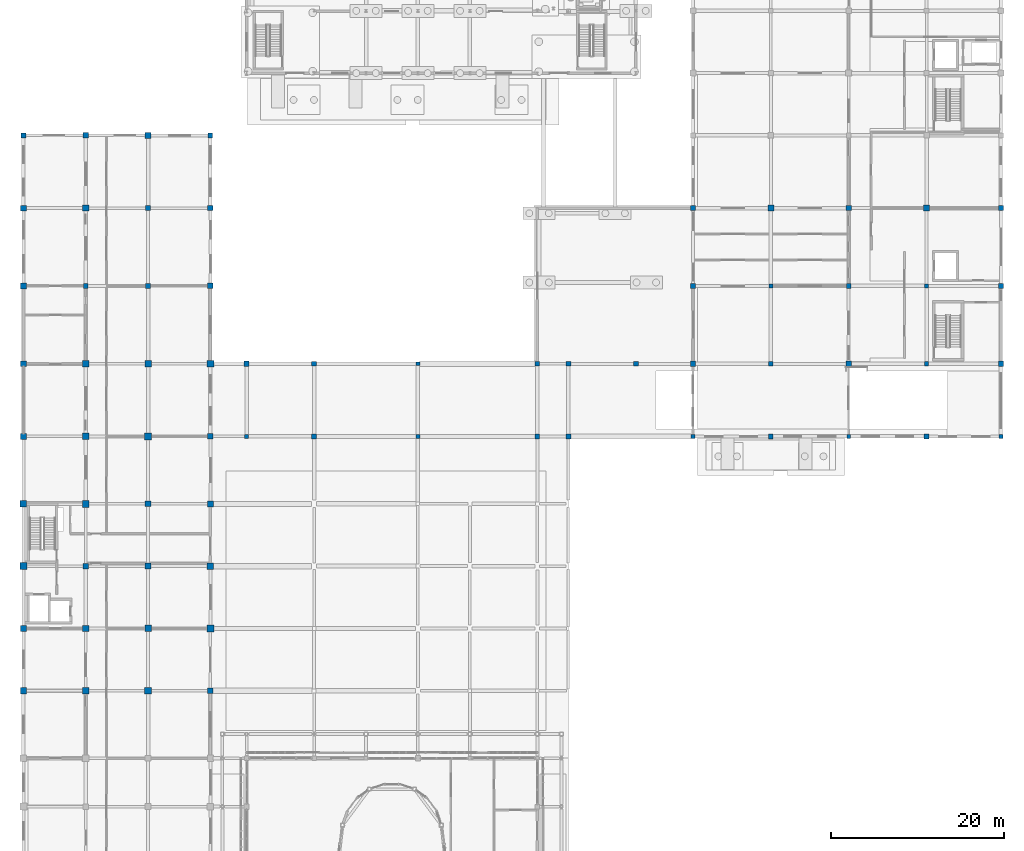
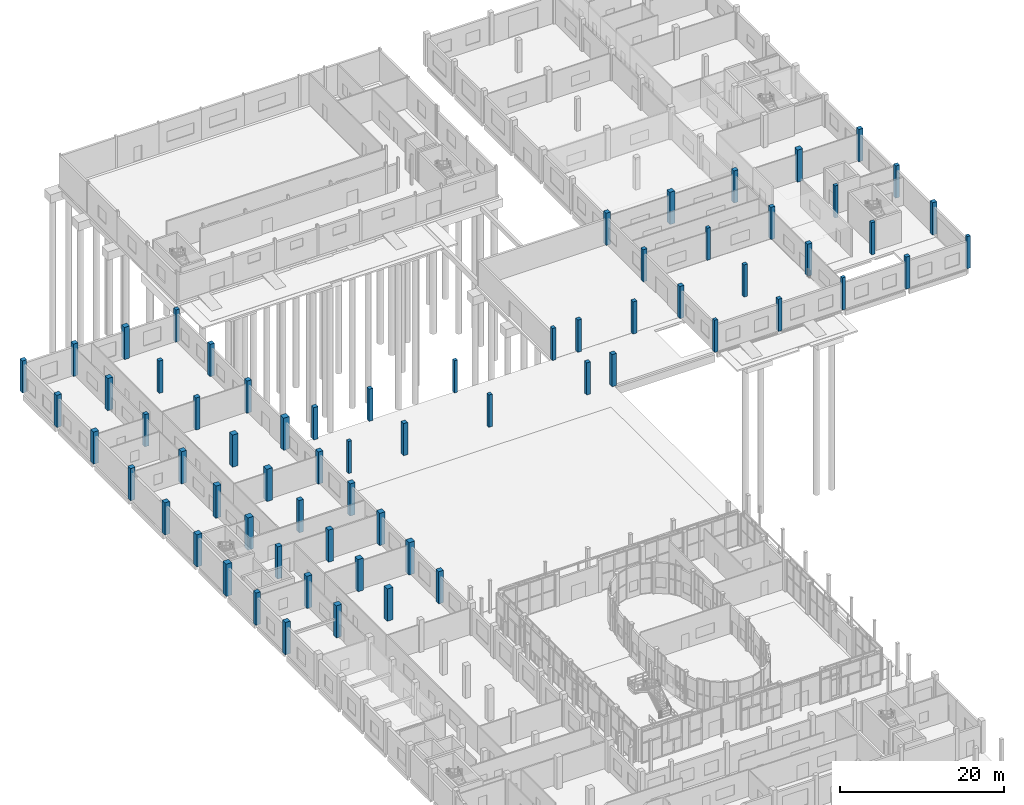
# One storey, part 15 of 91: 67 columns.
"""IFC4 building model written with IfcOpenShell, lengths in metres."""

from ifc_helpers import new_model, si_unit, direction, frame, origin, origin_2d, place, context, subcontext, project, spatial, rectangle, extrude, material, material_profile, profile_set, type_object, element, save


model = new_model("IFC4")

# Units and contexts
model_context = context("Model", 3, precision=1e-05, world=origin(), true_north=direction((0.0, 1.0)))
body_context = subcontext(model_context, "Body", "Model", "MODEL_VIEW")
ifc_project = project(units=[si_unit("LENGTHUNIT", "METRE"), si_unit("AREAUNIT", "SQUARE_METRE"), si_unit("VOLUMEUNIT", "CUBIC_METRE"), si_unit("PLANEANGLEUNIT", "RADIAN"), si_unit("MASSUNIT", "GRAM", prefix="KILO")], contexts=[model_context])

# Site, building, storey
site_placement = place(None, origin())
site = spatial("IfcSite", under=ifc_project, at=site_placement, CompositionType="ELEMENT")
building_placement = place(site_placement, origin())
building = spatial("IfcBuilding", under=site, at=building_placement, Name="Vinh Khe Railworks Police Headquarters", CompositionType="ELEMENT")
storey_placement = place(building_placement, origin())
storey = spatial("IfcBuildingStorey", under=building, at=storey_placement, Name="L00", CompositionType="ELEMENT", Elevation=0.0)

# Columns
ifc_material = material(Name="Concrete C40/50 (B40)", Category="concrete")
ifc_material_profile_1 = material_profile(ifc_material, rectangle(XDim=0.449951171875, YDim=0.449951171875, at=origin_2d()), Name="RC 450x450")
ifc_profile_set_1 = profile_set([ifc_material_profile_1], Name="Concrete C40/50 (B40)")
column_type_1 = type_object("IfcColumnType", Name="RC Column RC 450x450", PredefinedType="COLUMN", material=ifc_profile_set_1)
for number, where, z_axis, x_axis, name in (
    (1, (26.39990234375, 96.0, 0.0), (0.0, 0.0, 1.0), (1.0, 0.0, 0.0), "Column COL-L00-CC-08-0763"),
    (2, (46.199951171875, 104.39990234375, 0.0), (0.0, 0.0, 1.0), (1.0, 0.0, 0.0), "Column COL-L00-CC-08-0931"),
    (3, (78.0, 96.0, 0.0), (0.0, 0.0, 1.0), (1.0, 0.0, 0.0), "Column COL-L00-CC-08-1152"),
    (4, (87.0, 113.39990234375, 0.0), (0.0, 0.0, 1.0), (1.0, 0.0, 0.0), "Column COL-L00-CC-08-1221"),
    (5, (96.0, 96.0, 0.0), (0.0, 0.0, 1.0), (1.0, 0.0, 0.0), "Column COL-L00-CC-08-1274"),
    (6, (105.0, 113.39990234375, 0.0), (0.0, 0.0, 1.0), (1.0, 0.0, 0.0), "Column COL-L00-CC-08-1343"),
    (7, (113.60009765625, 96.0, 0.0), (0.0, 0.0, 1.0), (1.0, 0.0, 0.0), "Column COL-L00-CC-08-1396"),
):
    element("IfcColumn", number, at=place(storey_placement, frame(where, z_axis=z_axis, x_axis=x_axis)), inside=storey, type_object=column_type_1, Name=name, PredefinedType="COLUMN", context=body_context, shape_type="SweptSolid", body=[
        extrude(rectangle(XDim=0.449951171875, YDim=0.449951171875, at=origin_2d()), origin(), (0.0, 0.0, 1.0), 4.800048828125),
    ])
ifc_material_profile_2 = material_profile(ifc_material, rectangle(XDim=0.5, YDim=0.5, at=origin_2d()), Name="RC 500x500")
ifc_profile_set_2 = profile_set([ifc_material_profile_2], Name="Concrete C40/50 (B40)")
column_type_2 = type_object("IfcColumnType", Name="RC Column RC 500x500", PredefinedType="COLUMN", material=ifc_profile_set_2)
for number, where, z_axis, x_axis, name in (
    (8, (46.199951171875, 96.0, 0.0), (0.0, 0.0, 1.0), (1.0, 0.0, 0.0), "Column COL-L00-CC-07-0927"),
    (9, (60.0, 104.39990234375, 0.0), (0.0, 0.0, 1.0), (1.0, 0.0, 0.0), "Column COL-L00-CC-07-1056"),
    (10, (87.0, 104.39990234375, 0.0), (0.0, 0.0, 1.0), (1.0, 0.0, 0.0), "Column COL-L00-CC-07-1217"),
    (11, (105.0, 104.39990234375, 0.0), (0.0, 0.0, 1.0), (1.0, 0.0, 0.0), "Column COL-L00-CC-07-1339"),
):
    element("IfcColumn", number, at=place(storey_placement, frame(where, z_axis=z_axis, x_axis=x_axis)), inside=storey, type_object=column_type_2, Name=name, PredefinedType="COLUMN", context=body_context, shape_type="SweptSolid", body=[
        extrude(rectangle(XDim=0.5, YDim=0.5, at=origin_2d()), origin(), (0.0, 0.0, 1.0), 4.800048828125),
    ])
ifc_material_profile_3 = material_profile(ifc_material, rectangle(XDim=0.550048828125, YDim=0.550048828125, at=origin_2d()), Name="RC 550x550")
ifc_profile_set_3 = profile_set([ifc_material_profile_3], Name="Concrete C40/50 (B40)")
column_type_3 = type_object("IfcColumnType", Name="RC Column RC 550x550", PredefinedType="COLUMN", material=ifc_profile_set_3)
for number, where, z_axis, x_axis, name in (
    (12, (7.800048828125, 113.39990234375, 0.0), (0.0, 0.0, 1.0), (1.0, 0.0, 0.0), "Column COL-L00-CC-06-0315"),
    (13, (15.0, 122.39990234375, 0.0), (0.0, 0.0, 1.0), (1.0, 0.0, 0.0), "Column COL-L00-CC-06-0489"),
    (14, (22.199951171875, 130.800048828125, 0.0), (0.0, 0.0, 1.0), (1.0, 0.0, 0.0), "Column COL-L00-CC-06-0649"),
    (15, (34.199951171875, 104.39990234375, 0.0), (0.0, 0.0, 1.0), (1.0, 0.0, 0.0), "Column COL-L00-CC-06-0813"),
    (16, (60.0, 96.0, 0.0), (0.0, 0.0, 1.0), (1.0, 0.0, 0.0), "Column COL-L00-CC-06-1052"),
    (17, (63.60009765625, 104.39990234375, 0.0), (0.0, 0.0, 1.0), (1.0, 0.0, 0.0), "Column COL-L00-CC-06-1129"),
    (18, (71.39990234375, 104.39990234375, 0.0), (0.0, 0.0, 1.0), (1.0, 0.0, 0.0), "Column COL-L00-CC-06-1138"),
    (19, (78.0, 113.39990234375, 0.0), (0.0, 0.0, 1.0), (1.0, 0.0, 0.0), "Column COL-L00-CC-06-1160"),
    (20, (87.0, 96.0, 0.0), (0.0, 0.0, 1.0), (1.0, 0.0, 0.0), "Column COL-L00-CC-06-1213"),
    (21, (96.0, 113.39990234375, 0.0), (0.0, 0.0, 1.0), (1.0, 0.0, 0.0), "Column COL-L00-CC-06-1282"),
    (22, (105.0, 96.0, 0.0), (0.0, 0.0, 1.0), (1.0, 0.0, 0.0), "Column COL-L00-CC-06-1335"),
    (23, (113.60009765625, 113.39990234375, 0.0), (0.0, 0.0, 1.0), (1.0, 0.0, 0.0), "Column COL-L00-CC-06-1404"),
):
    element("IfcColumn", number, at=place(storey_placement, frame(where, z_axis=z_axis, x_axis=x_axis)), inside=storey, type_object=column_type_3, Name=name, PredefinedType="COLUMN", context=body_context, shape_type="SweptSolid", body=[
        extrude(rectangle(XDim=0.550048828125, YDim=0.550048828125, at=origin_2d()), origin(), (0.0, 0.0, 1.0), 4.800048828125),
    ])
ifc_material_profile_4 = material_profile(ifc_material, rectangle(XDim=0.60009765625, YDim=0.60009765625, at=origin_2d()), Name="RC 600x600")
ifc_profile_set_4 = profile_set([ifc_material_profile_4], Name="Concrete C40/50 (B40)")
column_type_4 = type_object("IfcColumnType", Name="RC Column RC 600x600", PredefinedType="COLUMN", material=ifc_profile_set_4)
for number, where, z_axis, x_axis, name in (
    (24, (0.60009765625, 130.800048828125, 0.0), (0.0, 0.0, 1.0), (1.0, 0.0, 0.0), "Column COL-L00-CC-05-0162"),
    (25, (15.0, 113.39990234375, 0.0), (0.0, 0.0, 1.0), (1.0, 0.0, 0.0), "Column COL-L00-CC-05-0482"),
    (26, (22.199951171875, 122.39990234375, 0.0), (0.0, 0.0, 1.0), (1.0, 0.0, 0.0), "Column COL-L00-CC-05-0642"),
    (27, (26.39990234375, 104.39990234375, 0.0), (0.0, 0.0, 1.0), (1.0, 0.0, 0.0), "Column COL-L00-CC-05-0767"),
    (28, (34.199951171875, 96.0, 0.0), (0.0, 0.0, 1.0), (1.0, 0.0, 0.0), "Column COL-L00-CC-05-0809"),
    (29, (63.60009765625, 96.0, 0.0), (0.0, 0.0, 1.0), (1.0, 0.0, 0.0), "Column COL-L00-CC-05-1125"),
    (30, (78.0, 104.39990234375, 0.0), (0.0, 0.0, 1.0), (1.0, 0.0, 0.0), "Column COL-L00-CC-05-1156"),
    (31, (78.0, 122.39990234375, 0.0), (0.0, 0.0, 1.0), (1.0, 0.0, 0.0), "Column COL-L00-CC-05-1164"),
    (32, (96.0, 104.39990234375, 0.0), (0.0, 0.0, 1.0), (1.0, 0.0, 0.0), "Column COL-L00-CC-05-1278"),
    (33, (96.0, 122.39990234375, 0.0), (0.0, 0.0, 1.0), (1.0, 0.0, 0.0), "Column COL-L00-CC-05-1286"),
    (34, (113.60009765625, 104.39990234375, 0.0), (0.0, 0.0, 1.0), (1.0, 0.0, 0.0), "Column COL-L00-CC-05-1400"),
    (35, (113.60009765625, 122.39990234375, 0.0), (0.0, 0.0, 1.0), (1.0, 0.0, 0.0), "Column COL-L00-CC-05-1408"),
):
    element("IfcColumn", number, at=place(storey_placement, frame(where, z_axis=z_axis, x_axis=x_axis)), inside=storey, type_object=column_type_4, Name=name, PredefinedType="COLUMN", context=body_context, shape_type="SweptSolid", body=[
        extrude(rectangle(XDim=0.60009765625, YDim=0.60009765625, at=origin_2d()), origin(), (0.0, 0.0, 1.0), 4.800048828125),
    ])
ifc_material_profile_5 = material_profile(ifc_material, rectangle(XDim=0.64990234375, YDim=0.64990234375, at=origin_2d()), Name="RC 650x650")
ifc_profile_set_5 = profile_set([ifc_material_profile_5], Name="Concrete C40/50 (B40)")
column_type_5 = type_object("IfcColumnType", Name="RC Column RC 650x650", PredefinedType="COLUMN", material=ifc_profile_set_5)
for number, where, z_axis, x_axis, name in (
    (36, (0.60009765625, 73.800048828125, 0.0), (0.0, 0.0, 1.0), (1.0, 0.0, 0.0), "Column COL-L00-CC-04-0098"),
    (37, (0.60009765625, 104.39990234375, 0.0), (0.0, 0.0, 1.0), (1.0, 0.0, 0.0), "Column COL-L00-CC-04-0138"),
    (38, (0.60009765625, 122.39990234375, 0.0), (0.0, 0.0, 1.0), (1.0, 0.0, 0.0), "Column COL-L00-CC-04-0155"),
    (39, (7.800048828125, 81.0, 0.0), (0.0, 0.0, 1.0), (1.0, 0.0, 0.0), "Column COL-L00-CC-04-0275"),
    (40, (7.800048828125, 130.800048828125, 0.0), (0.0, 0.0, 1.0), (1.0, 0.0, 0.0), "Column COL-L00-CC-04-0329"),
    (41, (15.0, 88.199951171875, 0.0), (0.0, 0.0, 1.0), (1.0, 0.0, 0.0), "Column COL-L00-CC-04-0452"),
    (42, (22.199951171875, 66.60009765625, 0.0), (0.0, 0.0, 1.0), (1.0, 0.0, 0.0), "Column COL-L00-CC-04-0581"),
    (43, (22.199951171875, 96.0, 0.0), (0.0, 0.0, 1.0), (1.0, 0.0, 0.0), "Column COL-L00-CC-04-0617"),
    (44, (22.199951171875, 113.39990234375, 0.0), (0.0, 0.0, 1.0), (1.0, 0.0, 0.0), "Column COL-L00-CC-04-0635"),
):
    element("IfcColumn", number, at=place(storey_placement, frame(where, z_axis=z_axis, x_axis=x_axis)), inside=storey, type_object=column_type_5, Name=name, PredefinedType="COLUMN", context=body_context, shape_type="SweptSolid", body=[
        extrude(rectangle(XDim=0.64990234375, YDim=0.64990234375, at=origin_2d()), origin(), (0.0, 0.0, 1.0), 4.800048828125),
    ])
ifc_material_profile_6 = material_profile(ifc_material, rectangle(XDim=0.699951171875, YDim=0.699951171875, at=origin_2d()), Name="RC 700x700")
ifc_profile_set_6 = profile_set([ifc_material_profile_6], Name="Concrete C40/50 (B40)")
column_type_6 = type_object("IfcColumnType", Name="RC Column RC 700x700", PredefinedType="COLUMN", material=ifc_profile_set_6)
for number, where, z_axis, x_axis, name in (
    (45, (0.60009765625, 66.60009765625, 0.0), (0.0, 0.0, 1.0), (1.0, 0.0, 0.0), "Column COL-L00-CC-03-0088"),
    (46, (0.60009765625, 96.0, 0.0), (0.0, 0.0, 1.0), (1.0, 0.0, 0.0), "Column COL-L00-CC-03-0128"),
    (47, (0.60009765625, 113.39990234375, 0.0), (0.0, 0.0, 1.0), (1.0, 0.0, 0.0), "Column COL-L00-CC-03-0148"),
    (48, (7.800048828125, 73.800048828125, 0.0), (0.0, 0.0, 1.0), (1.0, 0.0, 0.0), "Column COL-L00-CC-03-0265"),
    (49, (7.800048828125, 104.39990234375, 0.0), (0.0, 0.0, 1.0), (1.0, 0.0, 0.0), "Column COL-L00-CC-03-0305"),
    (50, (7.800048828125, 122.39990234375, 0.0), (0.0, 0.0, 1.0), (1.0, 0.0, 0.0), "Column COL-L00-CC-03-0322"),
    (51, (15.0, 81.0, 0.0), (0.0, 0.0, 1.0), (1.0, 0.0, 0.0), "Column COL-L00-CC-03-0442"),
    (52, (15.0, 130.800048828125, 0.0), (0.0, 0.0, 1.0), (1.0, 0.0, 0.0), "Column COL-L00-CC-03-0496"),
    (53, (22.199951171875, 88.199951171875, 0.0), (0.0, 0.0, 1.0), (1.0, 0.0, 0.0), "Column COL-L00-CC-03-0608"),
    (54, (87.0, 122.39990234375, 0.0), (0.0, 0.0, 1.0), (1.0, 0.0, 0.0), "Column COL-L00-CC-03-1225"),
    (55, (105.0, 122.39990234375, 0.0), (0.0, 0.0, 1.0), (1.0, 0.0, 0.0), "Column COL-L00-CC-03-1347"),
):
    element("IfcColumn", number, at=place(storey_placement, frame(where, z_axis=z_axis, x_axis=x_axis)), inside=storey, type_object=column_type_6, Name=name, PredefinedType="COLUMN", context=body_context, shape_type="SweptSolid", body=[
        extrude(rectangle(XDim=0.699951171875, YDim=0.699951171875, at=origin_2d()), origin(), (0.0, 0.0, 1.0), 4.800048828125),
    ])
ifc_material_profile_7 = material_profile(ifc_material, rectangle(XDim=0.75, YDim=0.75, at=origin_2d()), Name="RC 750x750")
ifc_profile_set_7 = profile_set([ifc_material_profile_7], Name="Concrete C40/50 (B40)")
column_type_7 = type_object("IfcColumnType", Name="RC Column RC 750x750", PredefinedType="COLUMN", material=ifc_profile_set_7)
for number, where, z_axis, x_axis, name in (
    (56, (0.60009765625, 88.199951171875, 0.0), (0.0, 0.0, 1.0), (1.0, 0.0, 0.0), "Column COL-L00-CC-02-0118"),
    (57, (7.800048828125, 66.60009765625, 0.0), (0.0, 0.0, 1.0), (1.0, 0.0, 0.0), "Column COL-L00-CC-02-0255"),
    (58, (7.800048828125, 96.0, 0.0), (0.0, 0.0, 1.0), (1.0, 0.0, 0.0), "Column COL-L00-CC-02-0295"),
    (59, (15.0, 73.800048828125, 0.0), (0.0, 0.0, 1.0), (1.0, 0.0, 0.0), "Column COL-L00-CC-02-0432"),
    (60, (15.0, 104.39990234375, 0.0), (0.0, 0.0, 1.0), (1.0, 0.0, 0.0), "Column COL-L00-CC-02-0472"),
    (61, (22.199951171875, 81.0, 0.0), (0.0, 0.0, 1.0), (1.0, 0.0, 0.0), "Column COL-L00-CC-02-0599"),
):
    element("IfcColumn", number, at=place(storey_placement, frame(where, z_axis=z_axis, x_axis=x_axis)), inside=storey, type_object=column_type_7, Name=name, PredefinedType="COLUMN", context=body_context, shape_type="SweptSolid", body=[
        extrude(rectangle(XDim=0.75, YDim=0.75, at=origin_2d()), origin(), (0.0, 0.0, 1.0), 4.800048828125),
    ])
ifc_material_profile_8 = material_profile(ifc_material, rectangle(XDim=0.800048828125, YDim=0.800048828125, at=origin_2d()), Name="RC 800x800")
ifc_profile_set_8 = profile_set([ifc_material_profile_8], Name="Concrete C40/50 (B40)")
column_type_8 = type_object("IfcColumnType", Name="RC Column RC 800x800", PredefinedType="COLUMN", material=ifc_profile_set_8)
for number, where, z_axis, x_axis, name in (
    (62, (0.60009765625, 81.0, 0.0), (0.0, 0.0, 1.0), (1.0, 0.0, 0.0), "Column COL-L00-CC-01-0108"),
    (63, (7.800048828125, 88.199951171875, 0.0), (0.0, 0.0, 1.0), (1.0, 0.0, 0.0), "Column COL-L00-CC-01-0285"),
    (64, (15.0, 66.60009765625, 0.0), (0.0, 0.0, 1.0), (1.0, 0.0, 0.0), "Column COL-L00-CC-01-0422"),
    (65, (15.0, 96.0, 0.0), (0.0, 0.0, 1.0), (1.0, 0.0, 0.0), "Column COL-L00-CC-01-0462"),
    (66, (22.199951171875, 73.800048828125, 0.0), (0.0, 0.0, 1.0), (1.0, 0.0, 0.0), "Column COL-L00-CC-01-0590"),
    (67, (22.199951171875, 104.39990234375, 0.0), (0.0, 0.0, 1.0), (1.0, 0.0, 0.0), "Column COL-L00-CC-01-0626"),
):
    element("IfcColumn", number, at=place(storey_placement, frame(where, z_axis=z_axis, x_axis=x_axis)), inside=storey, type_object=column_type_8, Name=name, PredefinedType="COLUMN", context=body_context, shape_type="SweptSolid", body=[
        extrude(rectangle(XDim=0.800048828125, YDim=0.800048828125, at=origin_2d()), origin(), (0.0, 0.0, 1.0), 4.800048828125),
    ])

save(model, "model.ifc")
